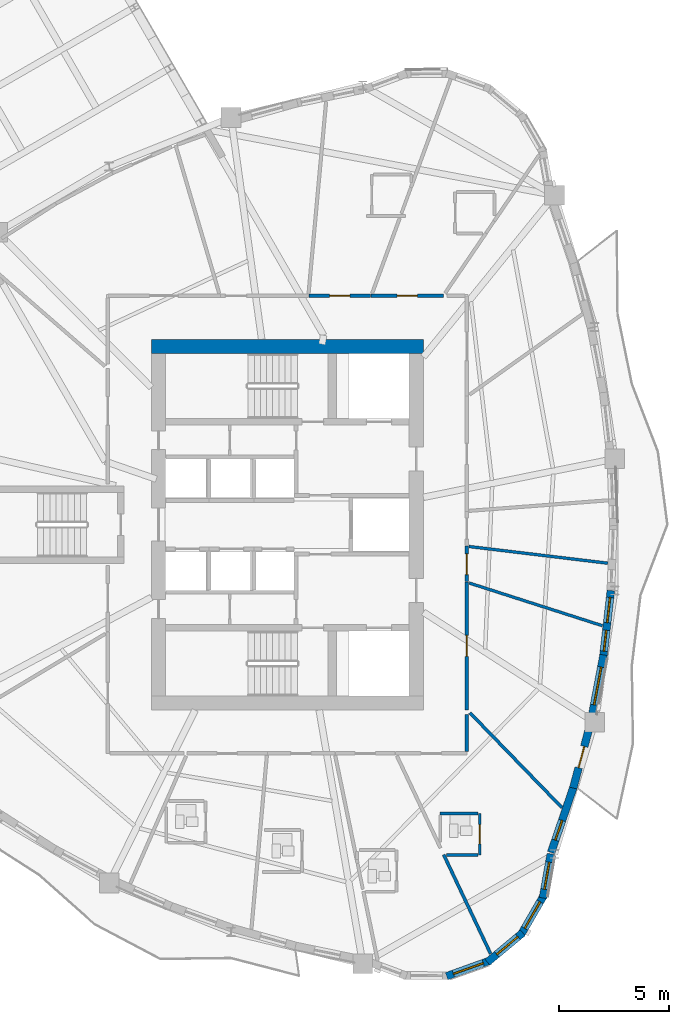
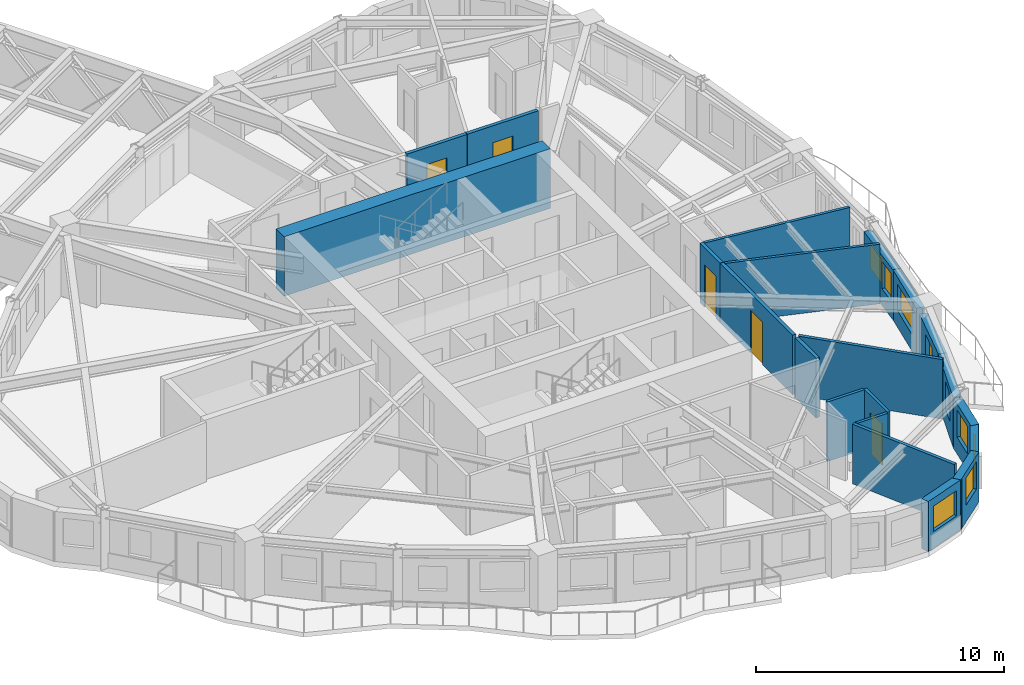
# One storey, part 8 of 14: 21 walls, 8 windows, 6 doors, 14 openings.
"""IFC4 building model written with IfcOpenShell, lengths in metres."""

from ifc_helpers import new_model, si_unit, direction, frame, frame_2d, origin, place, context, subcontext, project, spatial, rectangle, extrude, source, transform, mapped, material, layer, layer_set, type_object, element, fill, save


model = new_model("IFC4")

# Units and contexts
model_context = context("Model", 3, precision=1e-05, world=origin(), true_north=direction((0.0, 1.0)))
body_context = subcontext(model_context, "Body", "Model", "MODEL_VIEW")
ifc_project = project(units=[si_unit("LENGTHUNIT", "METRE"), si_unit("AREAUNIT", "SQUARE_METRE"), si_unit("VOLUMEUNIT", "CUBIC_METRE"), si_unit("PLANEANGLEUNIT", "RADIAN"), si_unit("MASSUNIT", "GRAM", prefix="KILO")], contexts=[model_context])

# Site, building, storey
site_placement = place(None, origin())
site = spatial("IfcSite", under=ifc_project, at=site_placement, CompositionType="ELEMENT")
building_placement = place(site_placement, origin())
building = spatial("IfcBuilding", under=site, at=building_placement, Name="Qafzar Sky-Pleat Residences", CompositionType="ELEMENT")
storey_placement = place(building_placement, frame((0.0, 0.0, 83.199951171875)))
storey = spatial("IfcBuildingStorey", under=building, at=storey_placement, Name="L24", CompositionType="ELEMENT", Elevation=83.199951171875)

# Wall, opening, door
ifc_material_1 = material(Name="Acoustic gypsum plasterboard partition", Category="gypsum")
ifc_layer_1 = layer(ifc_material_1, 0.159912109375)
ifc_layer_set_1 = layer_set([ifc_layer_1], Name="Acoustic gypsum plasterboard partition")
wall_type_1 = type_object("IfcWallType", Name="PART-COR-160", PredefinedType="PARTITIONING", material=ifc_layer_set_1)
wall_1_placement = place(storey_placement, frame((38.530029296875, 23.39208984375, 0.0), z_axis=(0.0, 0.0, 1.0), x_axis=(0.0, -1.0, 0.0)))
wall_1 = element("IfcWall", 1, at=wall_1_placement, inside=storey, type_object=wall_type_1, Name="L24 Partition Wall PART-L24-PW-002", PredefinedType="PARTITIONING", context=body_context, shape_type="SweptSolid", body=[
    extrude(rectangle(XDim=5.843017578125, YDim=0.159912109375, at=frame_2d((2.92138671875, 0.0))), origin(), (0.0, 0.0, 1.0), 2.93505859375),
])
opening_1_placement = place(wall_1_placement, frame((2.4384765625, 0.0, 0.0)))
opening_1 = element("IfcOpeningElement", 2, at=opening_1_placement, cuts=wall_1, Name="Opening ID-06", PredefinedType="OPENING", context=body_context, shape_type="SweptSolid", body=[
    extrude(rectangle(XDim=0.9599609375, YDim=2.10009765625, at=frame_2d((0.47998046875, 1.050048828125))), frame((0.0, 0.08984375, 0.0), z_axis=(0.0, -1.0, 0.0), x_axis=(1.0, 0.0, 0.0)), (0.0, 0.0, 1.0), 0.179931640625),
])
ifc_material_2 = material(Name="Timber-faced fire door", Category="wood")
door_type_1 = type_object("IfcDoorType", Name="DR-STD-960", OperationType="NOTDEFINED", PredefinedType="DOOR", material=ifc_material_2)
shared_shape_1 = source(origin(), body_context, "Body", "SweptSolid", [
    extrude(rectangle(XDim=0.9599609375, YDim=2.10009765625, at=frame_2d((0.47998046875, 1.050048828125))), frame((0.0, 0.02490234375, 0.0), z_axis=(0.0, -1.0, 0.0), x_axis=(1.0, 0.0, 0.0)), (0.0, 0.0, 1.0), 0.050048828125),
])
door_1_placement = place(opening_1_placement, origin())
door_1 = element("IfcDoor", 3, at=door_1_placement, inside=storey, type_object=door_type_1, Name="L24 Postdoctoral Admin Office Door", OperationType="SINGLE_SWING_RIGHT", OverallHeight=2.10009765625, OverallWidth=0.9599609375, PredefinedType="DOOR", context=body_context, shape_type="MappedRepresentation", body=[
    mapped(shared_shape_1, transform((0.0, 0.0, 0.0), x_axis=(1.0, 0.0, 0.0), y_axis=(0.0, 1.0, 0.0), z_axis=(0.0, 0.0, 1.0), scale=1.0)),
])
fill(opening_1, door_1)

wall_2_placement = place(storey_placement, frame((34.156005859375, 36.429931640625, 0.0), z_axis=(0.0, 0.0, 1.0), x_axis=(1.0, 0.0, 0.0)))
wall_2 = element("IfcWall", 4, at=wall_2_placement, inside=storey, type_object=wall_type_1, Name="L24 Partition Wall PART-L24-PW-010", PredefinedType="PARTITIONING", context=body_context, shape_type="SweptSolid", body=[
    extrude(rectangle(XDim=3.31591796875, YDim=0.159912109375, at=frame_2d((1.657958984375, 0.0))), origin(), (0.0, 0.0, 1.0), 2.93505859375),
])
opening_2_placement = place(wall_2_placement, frame((1.197021484375, 0.0, 0.0)))
opening_2 = element("IfcOpeningElement", 5, at=opening_2_placement, cuts=wall_2, Name="Opening ID-04", PredefinedType="OPENING", context=body_context, shape_type="SweptSolid", body=[
    extrude(rectangle(XDim=0.919921875, YDim=2.10009765625, at=frame_2d((0.4599609375, 1.050048828125))), frame((0.0, 0.08984375, 0.0), z_axis=(0.0, -1.0, 0.0), x_axis=(1.0, 0.0, 0.0)), (0.0, 0.0, 1.0), 0.179931640625),
])
door_type_2 = type_object("IfcDoorType", Name="DR-BED-920", OperationType="NOTDEFINED", PredefinedType="DOOR", material=ifc_material_2)
shared_shape_2 = source(origin(), body_context, "Body", "SweptSolid", [
    extrude(rectangle(XDim=0.919921875, YDim=2.10009765625, at=frame_2d((0.4599609375, 1.050048828125))), frame((0.0, 0.02490234375, 0.0), z_axis=(0.0, -1.0, 0.0), x_axis=(1.0, 0.0, 0.0)), (0.0, 0.0, 1.0), 0.050048828125),
])
door_2_placement = place(opening_2_placement, origin())
door_2 = element("IfcDoor", 6, at=door_2_placement, inside=storey, type_object=door_type_2, Name="L24 Co-Living Bedroom 5 Door", OperationType="SINGLE_SWING_LEFT", OverallHeight=2.10009765625, OverallWidth=0.919921875, PredefinedType="DOOR", context=body_context, shape_type="MappedRepresentation", body=[
    mapped(shared_shape_2, transform((0.0, 0.0, 0.0), x_axis=(1.0, 0.0, 0.0), y_axis=(0.0, 1.0, 0.0), z_axis=(0.0, 0.0, 1.0), scale=1.0)),
])
fill(opening_2, door_2)

wall_3_placement = place(storey_placement, frame((31.3349609375, 36.429931640625, 0.0), z_axis=(0.0, 0.0, 1.0), x_axis=(1.0, 0.0, 0.0)))
wall_3 = element("IfcWall", 7, at=wall_3_placement, inside=storey, type_object=wall_type_1, Name="L24 Partition Wall PART-L24-PW-015", PredefinedType="PARTITIONING", context=body_context, shape_type="SweptSolid", body=[
    extrude(rectangle(XDim=2.80615234375, YDim=0.159912109375, at=frame_2d((1.403076171875, 0.0))), origin(), (0.0, 0.0, 1.0), 2.93505859375),
])
opening_3_placement = place(wall_3_placement, frame((0.943603515625, 0.0, 0.0)))
opening_3 = element("IfcOpeningElement", 8, at=opening_3_placement, cuts=wall_3, Name="Opening ID-04", PredefinedType="OPENING", context=body_context, shape_type="SweptSolid", body=[
    extrude(rectangle(XDim=0.919921875, YDim=2.10009765625, at=frame_2d((0.4599609375, 1.050048828125))), frame((0.0, 0.08984375, 0.0), z_axis=(0.0, -1.0, 0.0), x_axis=(1.0, 0.0, 0.0)), (0.0, 0.0, 1.0), 0.179931640625),
])
door_3_placement = place(opening_3_placement, origin())
door_3 = element("IfcDoor", 9, at=door_3_placement, inside=storey, type_object=door_type_2, Name="L24 Co-Living Bedroom 6 Door", OperationType="SINGLE_SWING_LEFT", OverallHeight=2.10009765625, OverallWidth=0.919921875, PredefinedType="DOOR", context=body_context, shape_type="MappedRepresentation", body=[
    mapped(shared_shape_2, transform((0.0, 0.0, 0.0), x_axis=(1.0, 0.0, 0.0), y_axis=(0.0, 1.0, 0.0), z_axis=(0.0, 0.0, 1.0), scale=1.0)),
])
fill(opening_3, door_3)

wall_4_placement = place(storey_placement, frame((38.530029296875, 25.031982421875, 0.0), z_axis=(0.0, 0.0, 1.0), x_axis=(0.0, -1.0, 0.0)))
wall_4 = element("IfcWall", 10, at=wall_4_placement, inside=storey, type_object=wall_type_1, Name="L24 Partition Wall PART-L24-PW-023", PredefinedType="PARTITIONING", context=body_context, shape_type="SweptSolid", body=[
    extrude(rectangle(XDim=1.625, YDim=0.159912109375, at=frame_2d((0.8125, 0.0))), origin(), (0.0, 0.0, 1.0), 2.93505859375),
])
opening_4_placement = place(wall_4_placement, frame((0.360595703125, 0.0, 0.0)))
opening_4 = element("IfcOpeningElement", 11, at=opening_4_placement, cuts=wall_4, Name="Opening ID-08", PredefinedType="OPENING", context=body_context, shape_type="SweptSolid", body=[
    extrude(rectangle(XDim=0.949951171875, YDim=2.10009765625, at=frame_2d((0.47509765625, 1.050048828125))), frame((0.0, 0.08984375, 0.0), z_axis=(0.0, -1.0, 0.0), x_axis=(1.0, 0.0, 0.0)), (0.0, 0.0, 1.0), 0.179931640625),
])
door_type_3 = type_object("IfcDoorType", Name="DR-AWC-950", OperationType="NOTDEFINED", PredefinedType="DOOR", material=ifc_material_2)
shared_shape_3 = source(origin(), body_context, "Body", "SweptSolid", [
    extrude(rectangle(XDim=0.949951171875, YDim=2.10009765625, at=frame_2d((0.47509765625, 1.050048828125))), frame((0.0, 0.02490234375, 0.0), z_axis=(0.0, -1.0, 0.0), x_axis=(1.0, 0.0, 0.0)), (0.0, 0.0, 1.0), 0.050048828125),
])
door_4_placement = place(opening_4_placement, origin())
door_4 = element("IfcDoor", 12, at=door_4_placement, inside=storey, type_object=door_type_3, Name="L24 Accessible Shared Washroom Door", OperationType="SINGLE_SWING_LEFT", OverallHeight=2.10009765625, OverallWidth=0.949951171875, PredefinedType="DOOR", context=body_context, shape_type="MappedRepresentation", body=[
    mapped(shared_shape_3, transform((0.0, 0.0, 0.0), x_axis=(1.0, 0.0, 0.0), y_axis=(0.0, 1.0, 0.0), z_axis=(0.0, 0.0, 1.0), scale=1.0)),
])
fill(opening_4, door_4)

# Walls
wall_5_placement = place(storey_placement, frame((38.530029296875, 15.657958984375, 0.0), z_axis=(0.0, 0.0, 1.0), x_axis=(0.0, 1.0, 0.0)))
element("IfcWall", 13, at=wall_5_placement, inside=storey, type_object=wall_type_1, Name="L24 Partition Wall PART-L24-PW-049", PredefinedType="PARTITIONING", context=body_context, shape_type="SweptSolid", body=[
    extrude(rectangle(XDim=1.681640625, YDim=0.159912109375, at=frame_2d((0.8408203125, 0.0))), origin(), (0.0, 0.0, 1.0), 2.93505859375),
])
ifc_layer_2 = layer(ifc_material_1, 0.14501953125)
ifc_layer_set_2 = layer_set([ifc_layer_2], Name="Acoustic gypsum plasterboard partition")
wall_type_2 = type_object("IfcWallType", Name="PART-UNIT-145", PredefinedType="PARTITIONING", material=ifc_layer_set_2)
wall_6_placement = place(storey_placement, frame((38.66748046875, 17.42919921875, 0.0), z_axis=(0.0, 0.0, 1.0), x_axis=(0.696417222112, -0.717637131666, 0.0)))
element("IfcWall", 14, at=wall_6_placement, inside=storey, type_object=wall_type_2, Name="L24 Partition Wall PART-L24-PW-036", PredefinedType="PARTITIONING", context=body_context, shape_type="SweptSolid", body=[
    extrude(rectangle(XDim=6.040283203125, YDim=0.14501953125, at=frame_2d((3.02001953125, 0.0))), origin(), (0.0, 0.0, 1.0), 2.93505859375),
])
wall_7_placement = place(storey_placement, frame((37.47607421875, 10.9541015625, 0.0), z_axis=(0.0, 0.0, 1.0), x_axis=(0.428094746621, -0.903733859007, 0.0)))
element("IfcWall", 15, at=wall_7_placement, inside=storey, type_object=wall_type_2, Name="L24 Partition Wall PART-L24-PW-039", PredefinedType="PARTITIONING", context=body_context, shape_type="SweptSolid", body=[
    extrude(rectangle(XDim=4.996337890625, YDim=0.14501953125, at=frame_2d((2.498046875, 0.0))), origin(), (0.0, 0.0, 1.0), 2.93505859375),
])

# Wall, opening, door
ifc_material_3 = material(Name="Moisture-resistant gypsum partition", Category="gypsum")
ifc_layer_3 = layer(ifc_material_3, 0.1298828125)
ifc_layer_set_3 = layer_set([ifc_layer_3], Name="Moisture-resistant gypsum partition")
wall_type_3 = type_object("IfcWallType", Name="PART-WET-130", PredefinedType="PARTITIONING", material=ifc_layer_set_3)
wall_8_placement = place(storey_placement, frame((39.116943359375, 10.93896484375, 0.0), z_axis=(0.0, 0.0, 1.0), x_axis=(0.0, 1.0, 0.0)))
wall_8 = element("IfcWall", 16, at=wall_8_placement, inside=storey, type_object=wall_type_3, Name="L24 Partition Wall PART-L24-PW-020", PredefinedType="PARTITIONING", context=body_context, shape_type="SweptSolid", body=[
    extrude(rectangle(XDim=1.900146484375, YDim=0.1298828125, at=frame_2d((0.9501953125, 0.0))), origin(), (0.0, 0.0, 1.0), 2.93505859375),
])
opening_5_placement = place(wall_8_placement, frame((0.510009765625, 0.0, 0.0)))
opening_5 = element("IfcOpeningElement", 17, at=opening_5_placement, cuts=wall_8, Name="Opening ID-07", PredefinedType="OPENING", context=body_context, shape_type="SweptSolid", body=[
    extrude(rectangle(XDim=0.8798828125, YDim=2.050048828125, at=frame_2d((0.43994140625, 1.02490234375))), frame((0.0, 0.074951171875, 0.0), z_axis=(0.0, -1.0, 0.0), x_axis=(1.0, 0.0, 0.0)), (0.0, 0.0, 1.0), 0.14990234375),
])
door_type_4 = type_object("IfcDoorType", Name="DR-WET-880", OperationType="NOTDEFINED", PredefinedType="DOOR", material=ifc_material_2)
shared_shape_4 = source(origin(), body_context, "Body", "SweptSolid", [
    extrude(rectangle(XDim=0.8798828125, YDim=2.050048828125, at=frame_2d((0.43994140625, 1.02490234375))), frame((0.0, 0.02490234375, 0.0), z_axis=(0.0, -1.0, 0.0), x_axis=(1.0, 0.0, 0.0)), (0.0, 0.0, 1.0), 0.050048828125),
])
door_5_placement = place(opening_5_placement, origin())
door_5 = element("IfcDoor", 18, at=door_5_placement, inside=storey, type_object=door_type_4, Name="L24 En-suite Bathroom 4 Door", OperationType="SINGLE_SWING_RIGHT", OverallHeight=2.050048828125, OverallWidth=0.8798828125, PredefinedType="DOOR", context=body_context, shape_type="MappedRepresentation", body=[
    mapped(shared_shape_4, transform((0.0, 0.0, 0.0), x_axis=(1.0, 0.0, 0.0), y_axis=(0.0, 1.0, 0.0), z_axis=(0.0, 0.0, 1.0), scale=1.0)),
])
fill(opening_5, door_5)

# Walls
wall_9_placement = place(storey_placement, frame((38.637451171875, 23.341552734375, 0.0), z_axis=(0.0, 0.0, 1.0), x_axis=(0.952253923936, -0.305307163933, 0.0)))
element("IfcWall", 19, at=wall_9_placement, inside=storey, type_object=wall_type_3, Name="L24 Partition Wall PART-L24-PW-031", PredefinedType="PARTITIONING", context=body_context, shape_type="SweptSolid", body=[
    extrude(rectangle(XDim=6.383544921875, YDim=0.1298828125, at=frame_2d((3.19189453125, 0.0))), origin(), (0.0, 0.0, 1.0), 2.93505859375),
])
wall_10_placement = place(storey_placement, frame((38.625732421875, 25.005615234375, 0.0), z_axis=(0.0, 0.0, 1.0), x_axis=(0.992837647249, -0.11947136144, 0.0)))
element("IfcWall", 20, at=wall_10_placement, inside=storey, type_object=wall_type_3, Name="L24 Partition Wall PART-L24-PW-034", PredefinedType="PARTITIONING", context=body_context, shape_type="SweptSolid", body=[
    extrude(rectangle(XDim=6.375732421875, YDim=0.1298828125, at=frame_2d((3.18798828125, 0.0))), origin(), (0.0, 0.0, 1.0), 2.93505859375),
])
wall_11_placement = place(storey_placement, frame((37.31689453125, 12.839111328125, 0.0), z_axis=(0.0, 0.0, 1.0), x_axis=(1.0, 0.0, 0.0)))
element("IfcWall", 21, at=wall_11_placement, inside=storey, type_object=wall_type_3, Name="L24 Partition Wall PART-L24-PW-055", PredefinedType="PARTITIONING", context=body_context, shape_type="SweptSolid", body=[
    extrude(rectangle(XDim=1.72705078125, YDim=0.1298828125, at=frame_2d((0.863525390625, 0.0))), origin(), (0.0, 0.0, 1.0), 2.93505859375),
])
wall_12_placement = place(storey_placement, frame((37.60205078125, 10.93896484375, 0.0), z_axis=(0.0, 0.0, 1.0), x_axis=(1.0, 0.0, 0.0)))
element("IfcWall", 22, at=wall_12_placement, inside=storey, type_object=wall_type_3, Name="L24 Partition Wall PART-L24-PW-059", PredefinedType="PARTITIONING", context=body_context, shape_type="SweptSolid", body=[
    extrude(rectangle(XDim=1.44189453125, YDim=0.1298828125, at=frame_2d((0.720947265625, 0.0))), origin(), (0.0, 0.0, 1.0), 2.93505859375),
])

# Wall, opening, window
ifc_material_4 = material(Name="Precast concrete C40/50 with honed Riyadh limestone", Category="concrete")
ifc_layer_4 = layer(ifc_material_4, 0.35009765625)
ifc_layer_set_4 = layer_set([ifc_layer_4], Name="Precast concrete C40/50 with honed Riyadh limestone")
wall_type_4 = type_object("IfcWallType", Name="WALL-EXT-350", PredefinedType="SOLIDWALL", material=ifc_layer_set_4)
wall_13_placement = place(storey_placement, frame((37.6103515625, 5.4150390625, 0.0), z_axis=(0.0, 0.0, 1.0), x_axis=(0.941473186867, 0.33708787936, 0.0)))
wall_13 = element("IfcWall", 23, at=wall_13_placement, inside=storey, type_object=wall_type_4, Name="L24 Limestone Facade Wall 19", PredefinedType="SOLIDWALL", context=body_context, shape_type="SweptSolid", body=[
    extrude(rectangle(XDim=2.098876953125, YDim=0.35009765625, at=frame_2d((1.04931640625, 0.0))), origin(), (0.0, 0.0, 1.0), 2.465087890625),
])
opening_6_placement = place(wall_13_placement, frame((0.324462890625, 0.0, 0.820068359375)))
opening_6 = element("IfcOpeningElement", 24, at=opening_6_placement, cuts=wall_13, Name="Opening WN-15", PredefinedType="OPENING", context=body_context, shape_type="SweptSolid", body=[
    extrude(rectangle(XDim=1.449951171875, YDim=1.25, at=frame_2d((0.72509765625, 0.625))), frame((0.0, 0.18505859375, 0.0), z_axis=(0.0, -1.0, 0.0), x_axis=(1.0, 0.0, 0.0)), (0.0, 0.0, 1.0), 0.3701171875),
])
ifc_material_5 = material(Name="Solar-control low-E glass in bronze aluminium frame", Category="glass")
window_type_1 = type_object("IfcWindowType", Name="WIN-15", PartitioningType="SINGLE_PANEL", PredefinedType="WINDOW", material=ifc_material_5)
shared_shape_5 = source(origin(), body_context, "Body", "SweptSolid", [
    extrude(rectangle(XDim=1.449951171875, YDim=1.25, at=frame_2d((0.72509765625, 0.625))), frame((0.0, 0.030029296875, 0.0), z_axis=(0.0, -1.0, 0.0), x_axis=(1.0, 0.0, 0.0)), (0.0, 0.0, 1.0), 0.06005859375),
])
window_1_placement = place(opening_6_placement, origin())
window_1 = element("IfcWindow", 25, at=window_1_placement, inside=storey, type_object=window_type_1, Name="L24 Punched Facade Window 19", OverallHeight=1.25, OverallWidth=1.449951171875, PartitioningType="SINGLE_PANEL", PredefinedType="WINDOW", context=body_context, shape_type="MappedRepresentation", body=[
    mapped(shared_shape_5, transform((0.0, 0.0, 0.0), x_axis=(1.0, 0.0, 0.0), y_axis=(0.0, 1.0, 0.0), z_axis=(0.0, 0.0, 1.0), scale=1.0)),
])
fill(opening_6, window_1)

wall_14_placement = place(storey_placement, frame((39.468505859375, 6.05517578125, 0.0), z_axis=(0.0, 0.0, 1.0), x_axis=(0.768497696041, 0.639852554249, 0.0)))
wall_14 = element("IfcWall", 26, at=wall_14_placement, inside=storey, type_object=wall_type_4, Name="L24 Limestone Facade Wall 20", PredefinedType="SOLIDWALL", context=body_context, shape_type="SweptSolid", body=[
    extrude(rectangle(XDim=2.098876953125, YDim=0.35009765625, at=frame_2d((1.04931640625, 0.0))), origin(), (0.0, 0.0, 1.0), 2.465087890625),
])
opening_7_placement = place(wall_14_placement, frame((0.558837890625, 0.0, 0.820068359375)))
opening_7 = element("IfcOpeningElement", 27, at=opening_7_placement, cuts=wall_14, Name="Opening WN-11", PredefinedType="OPENING", context=body_context, shape_type="SweptSolid", body=[
    extrude(rectangle(XDim=1.25, YDim=1.35009765625, at=frame_2d((0.625, 0.675048828125))), frame((0.0, 0.18505859375, 0.0), z_axis=(0.0, -1.0, 0.0), x_axis=(1.0, 0.0, 0.0)), (0.0, 0.0, 1.0), 0.3701171875),
])
window_type_2 = type_object("IfcWindowType", Name="WIN-11", PartitioningType="SINGLE_PANEL", PredefinedType="WINDOW", material=ifc_material_5)
shared_shape_6 = source(origin(), body_context, "Body", "SweptSolid", [
    extrude(rectangle(XDim=1.25, YDim=1.35009765625, at=frame_2d((0.625, 0.675048828125))), frame((0.0, 0.030029296875, 0.0), z_axis=(0.0, -1.0, 0.0), x_axis=(1.0, 0.0, 0.0)), (0.0, 0.0, 1.0), 0.06005859375),
])
window_2_placement = place(opening_7_placement, origin())
window_2 = element("IfcWindow", 28, at=window_2_placement, inside=storey, type_object=window_type_2, Name="L24 Punched Facade Window 20", OverallHeight=1.35009765625, OverallWidth=1.25, PartitioningType="SINGLE_PANEL", PredefinedType="WINDOW", context=body_context, shape_type="MappedRepresentation", body=[
    mapped(shared_shape_6, transform((0.0, 0.0, 0.0), x_axis=(1.0, 0.0, 0.0), y_axis=(0.0, 1.0, 0.0), z_axis=(0.0, 0.0, 1.0), scale=1.0)),
])
fill(opening_7, window_2)

wall_15_placement = place(storey_placement, frame((40.993896484375, 7.29443359375, 0.0), z_axis=(0.0, 0.0, 1.0), x_axis=(0.501902596059, 0.864924149315, 0.0)))
wall_15 = element("IfcWall", 29, at=wall_15_placement, inside=storey, type_object=wall_type_4, Name="L24 Limestone Facade Wall 21", PredefinedType="SOLIDWALL", context=body_context, shape_type="SweptSolid", body=[
    extrude(rectangle(XDim=2.098876953125, YDim=0.35009765625, at=frame_2d((1.04931640625, 0.0))), origin(), (0.0, 0.0, 1.0), 2.465087890625),
])
opening_8_placement = place(wall_15_placement, frame((0.349609375, 0.0, 0.820068359375)))
opening_8 = element("IfcOpeningElement", 30, at=opening_8_placement, cuts=wall_15, Name="Opening WN-10", PredefinedType="OPENING", context=body_context, shape_type="SweptSolid", body=[
    extrude(rectangle(XDim=1.39990234375, YDim=1.35009765625, at=frame_2d((0.699951171875, 0.675048828125))), frame((0.0, 0.18505859375, 0.0), z_axis=(0.0, -1.0, 0.0), x_axis=(1.0, 0.0, 0.0)), (0.0, 0.0, 1.0), 0.3701171875),
])
window_type_3 = type_object("IfcWindowType", Name="WIN-10", PartitioningType="SINGLE_PANEL", PredefinedType="WINDOW", material=ifc_material_5)
shared_shape_7 = source(origin(), body_context, "Body", "SweptSolid", [
    extrude(rectangle(XDim=1.39990234375, YDim=1.35009765625, at=frame_2d((0.699951171875, 0.675048828125))), frame((0.0, 0.030029296875, 0.0), z_axis=(0.0, -1.0, 0.0), x_axis=(1.0, 0.0, 0.0)), (0.0, 0.0, 1.0), 0.06005859375),
])
window_3_placement = place(opening_8_placement, origin())
window_3 = element("IfcWindow", 31, at=window_3_placement, inside=storey, type_object=window_type_3, Name="L24 Punched Facade Window 21", OverallHeight=1.35009765625, OverallWidth=1.39990234375, PartitioningType="SINGLE_PANEL", PredefinedType="WINDOW", context=body_context, shape_type="MappedRepresentation", body=[
    mapped(shared_shape_7, transform((0.0, 0.0, 0.0), x_axis=(1.0, 0.0, 0.0), y_axis=(0.0, 1.0, 0.0), z_axis=(0.0, 0.0, 1.0), scale=1.0)),
])
fill(opening_8, window_3)

wall_16_placement = place(storey_placement, frame((42.000732421875, 8.982177734375, 0.0), z_axis=(0.0, 0.0, 1.0), x_axis=(0.174419977077, 0.984671352075, 0.0)))
wall_16 = element("IfcWall", 32, at=wall_16_placement, inside=storey, type_object=wall_type_4, Name="L24 Limestone Facade Wall 22", PredefinedType="SOLIDWALL", context=body_context, shape_type="SweptSolid", body=[
    extrude(rectangle(XDim=2.040771484375, YDim=0.35009765625, at=frame_2d((1.0205078125, 0.0))), origin(), (0.0, 0.0, 1.0), 2.465087890625),
])
opening_9_placement = place(wall_16_placement, frame((0.405517578125, 0.0, 0.820068359375)))
opening_9 = element("IfcOpeningElement", 33, at=opening_9_placement, cuts=wall_16, Name="Opening WN-11", PredefinedType="OPENING", context=body_context, shape_type="SweptSolid", body=[
    extrude(rectangle(XDim=1.25, YDim=1.35009765625, at=frame_2d((0.625, 0.675048828125))), frame((0.0, 0.18505859375, 0.0), z_axis=(0.0, -1.0, 0.0), x_axis=(1.0, 0.0, 0.0)), (0.0, 0.0, 1.0), 0.3701171875),
])
window_4_placement = place(opening_9_placement, origin())
window_4 = element("IfcWindow", 34, at=window_4_placement, inside=storey, type_object=window_type_2, Name="L24 Punched Facade Window 22", OverallHeight=1.35009765625, OverallWidth=1.25, PartitioningType="SINGLE_PANEL", PredefinedType="WINDOW", context=body_context, shape_type="MappedRepresentation", body=[
    mapped(shared_shape_6, transform((0.0, 0.0, 0.0), x_axis=(1.0, 0.0, 0.0), y_axis=(0.0, 1.0, 0.0), z_axis=(0.0, 0.0, 1.0), scale=1.0)),
])
fill(opening_9, window_4)

wall_17_placement = place(storey_placement, frame((42.373291015625, 11.056640625, 0.0), z_axis=(0.0, 0.0, 1.0), x_axis=(0.323628226775, 0.946184321808, 0.0)))
wall_17 = element("IfcWall", 35, at=wall_17_placement, inside=storey, type_object=wall_type_4, Name="L24 Limestone Facade Wall 23", PredefinedType="SOLIDWALL", context=body_context, shape_type="SweptSolid", body=[
    extrude(rectangle(XDim=3.192626953125, YDim=0.35009765625, at=frame_2d((1.59619140625, 0.0))), origin(), (0.0, 0.0, 1.0), 2.465087890625),
])
opening_10_placement = place(wall_17_placement, frame((0.5947265625, 0.0, 0.820068359375)))
opening_10 = element("IfcOpeningElement", 36, at=opening_10_placement, cuts=wall_17, Name="Opening WN-12", PredefinedType="OPENING", context=body_context, shape_type="SweptSolid", body=[
    extrude(rectangle(XDim=0.949951171875, YDim=1.35009765625, at=frame_2d((0.47509765625, 0.675048828125))), frame((0.0, 0.18505859375, 0.0), z_axis=(0.0, -1.0, 0.0), x_axis=(1.0, 0.0, 0.0)), (0.0, 0.0, 1.0), 0.3701171875),
])
window_type_4 = type_object("IfcWindowType", Name="WIN-12", PartitioningType="SINGLE_PANEL", PredefinedType="WINDOW", material=ifc_material_5)
shared_shape_8 = source(origin(), body_context, "Body", "SweptSolid", [
    extrude(rectangle(XDim=0.949951171875, YDim=1.35009765625, at=frame_2d((0.47509765625, 0.675048828125))), frame((0.0, 0.030029296875, 0.0), z_axis=(0.0, -1.0, 0.0), x_axis=(1.0, 0.0, 0.0)), (0.0, 0.0, 1.0), 0.06005859375),
])
window_5_placement = place(opening_10_placement, origin())
window_5 = element("IfcWindow", 37, at=window_5_placement, inside=storey, type_object=window_type_4, Name="L24 Punched Facade Window 23", OverallHeight=1.35009765625, OverallWidth=0.949951171875, PartitioningType="SINGLE_PANEL", PredefinedType="WINDOW", context=body_context, shape_type="MappedRepresentation", body=[
    mapped(shared_shape_8, transform((0.0, 0.0, 0.0), x_axis=(1.0, 0.0, 0.0), y_axis=(0.0, 1.0, 0.0), z_axis=(0.0, 0.0, 1.0), scale=1.0)),
])
fill(opening_10, window_5)

# Wall, opening, door
wall_18_placement = place(storey_placement, frame((43.380859375, 13.9931640625, 0.0), z_axis=(0.0, 0.0, 1.0), x_axis=(0.257079998736, 0.966390125286, 0.0)))
wall_18 = element("IfcWall", 38, at=wall_18_placement, inside=storey, type_object=wall_type_4, Name="L24 Limestone Facade Wall 24", PredefinedType="SOLIDWALL", context=body_context, shape_type="SweptSolid", body=[
    extrude(rectangle(XDim=2.921142578125, YDim=0.35009765625, at=frame_2d((1.46044921875, 0.0))), origin(), (0.0, 0.0, 1.0), 2.465087890625),
])
opening_11_placement = place(wall_18_placement, frame((0.960693359375, 0.0, 0.0)))
opening_11 = element("IfcOpeningElement", 39, at=opening_11_placement, cuts=wall_18, Name="Opening ED-05", PredefinedType="OPENING", context=body_context, shape_type="SweptSolid", body=[
    extrude(rectangle(XDim=1.0, YDim=2.10009765625, at=frame_2d((0.5, 1.050048828125))), frame((0.0, 0.18505859375, 0.0), z_axis=(0.0, -1.0, 0.0), x_axis=(1.0, 0.0, 0.0)), (0.0, 0.0, 1.0), 0.3701171875),
])
ifc_material_6 = material(Name="Glazed bronze aluminium door", Category="aluminium")
door_type_5 = type_object("IfcDoorType", Name="DR-BAL-1000", OperationType="NOTDEFINED", PredefinedType="DOOR", material=ifc_material_6)
shared_shape_9 = source(origin(), body_context, "Body", "SweptSolid", [
    extrude(rectangle(XDim=1.0, YDim=2.10009765625, at=frame_2d((0.5, 1.050048828125))), frame((0.0, 0.02490234375, 0.0), z_axis=(0.0, -1.0, 0.0), x_axis=(1.0, 0.0, 0.0)), (0.0, 0.0, 1.0), 0.050048828125),
])
door_6_placement = place(opening_11_placement, origin())
door_6 = element("IfcDoor", 40, at=door_6_placement, inside=storey, type_object=door_type_5, Name="L24 Glazed Balcony Door 1", OperationType="SINGLE_SWING_LEFT", OverallHeight=2.10009765625, OverallWidth=1.0, PredefinedType="DOOR", context=body_context, shape_type="MappedRepresentation", body=[
    mapped(shared_shape_9, transform((0.0, 0.0, 0.0), x_axis=(1.0, 0.0, 0.0), y_axis=(0.0, 1.0, 0.0), z_axis=(0.0, 0.0, 1.0), scale=1.0)),
])
fill(opening_11, door_6)

# Wall, opening, window
wall_19_placement = place(storey_placement, frame((44.22900390625, 17.2421875, 0.0), z_axis=(0.0, 0.0, 1.0), x_axis=(0.186588413417, 0.982438173107, 0.0)))
wall_19 = element("IfcWall", 41, at=wall_19_placement, inside=storey, type_object=wall_type_4, Name="L24 Limestone Facade Wall 25", PredefinedType="SOLIDWALL", context=body_context, shape_type="SweptSolid", body=[
    extrude(rectangle(XDim=2.870849609375, YDim=0.35009765625, at=frame_2d((1.435546875, 0.0))), origin(), (0.0, 0.0, 1.0), 2.465087890625),
])
opening_12_placement = place(wall_19_placement, frame((0.555419921875, 0.0, 0.820068359375)))
opening_12 = element("IfcOpeningElement", 42, at=opening_12_placement, cuts=wall_19, Name="Opening WN-14", PredefinedType="OPENING", context=body_context, shape_type="SweptSolid", body=[
    extrude(rectangle(XDim=1.75, YDim=1.300048828125, at=frame_2d((0.875, 0.64990234375))), frame((0.0, 0.18505859375, 0.0), z_axis=(0.0, -1.0, 0.0), x_axis=(1.0, 0.0, 0.0)), (0.0, 0.0, 1.0), 0.3701171875),
])
window_type_5 = type_object("IfcWindowType", Name="WIN-14", PartitioningType="DOUBLE_PANEL_VERTICAL", PredefinedType="WINDOW", material=ifc_material_5)
shared_shape_10 = source(origin(), body_context, "Body", "SweptSolid", [
    extrude(rectangle(XDim=1.75, YDim=1.300048828125, at=frame_2d((0.875, 0.64990234375))), frame((0.0, 0.030029296875, 0.0), z_axis=(0.0, -1.0, 0.0), x_axis=(1.0, 0.0, 0.0)), (0.0, 0.0, 1.0), 0.06005859375),
])
window_6_placement = place(opening_12_placement, origin())
window_6 = element("IfcWindow", 43, at=window_6_placement, inside=storey, type_object=window_type_5, Name="L24 Punched Facade Window 25", OverallHeight=1.300048828125, OverallWidth=1.75, PartitioningType="SINGLE_PANEL", PredefinedType="WINDOW", context=body_context, shape_type="MappedRepresentation", body=[
    mapped(shared_shape_10, transform((0.0, 0.0, 0.0), x_axis=(1.0, 0.0, 0.0), y_axis=(0.0, 1.0, 0.0), z_axis=(0.0, 0.0, 1.0), scale=1.0)),
])
fill(opening_12, window_6)

# Wall, openings, windows
wall_20_placement = place(storey_placement, frame((44.751220703125, 19.974609375, 0.0), z_axis=(0.0, 0.0, 1.0), x_axis=(0.113356399423, 0.993554390413, 0.0)))
wall_20 = element("IfcWall", 44, at=wall_20_placement, inside=storey, type_object=wall_type_4, Name="L24 Limestone Facade Wall 26", PredefinedType="SOLIDWALL", context=body_context, shape_type="SweptSolid", body=[
    extrude(rectangle(XDim=3.041015625, YDim=0.35009765625, at=frame_2d((1.5205078125, 0.0))), origin(), (0.0, 0.0, 1.0), 2.465087890625),
])
opening_13_placement = place(wall_20_placement, frame((0.264404296875, 0.0, 0.820068359375)))
opening_13 = element("IfcOpeningElement", 45, at=opening_13_placement, cuts=wall_20, Name="Opening WN-12", PredefinedType="OPENING", context=body_context, shape_type="SweptSolid", body=[
    extrude(rectangle(XDim=0.949951171875, YDim=1.35009765625, at=frame_2d((0.47509765625, 0.675048828125))), frame((0.0, 0.18505859375, 0.0), z_axis=(0.0, -1.0, 0.0), x_axis=(1.0, 0.0, 0.0)), (0.0, 0.0, 1.0), 0.3701171875),
])
opening_14_placement = place(wall_20_placement, frame((1.574951171875, 0.0, 0.820068359375)))
opening_14 = element("IfcOpeningElement", 46, at=opening_14_placement, cuts=wall_20, Name="Opening WN-16", PredefinedType="OPENING", context=body_context, shape_type="SweptSolid", body=[
    extrude(rectangle(XDim=1.14990234375, YDim=1.199951171875, at=frame_2d((0.574951171875, 0.60009765625))), frame((0.0, 0.18505859375, 0.0), z_axis=(0.0, -1.0, 0.0), x_axis=(1.0, 0.0, 0.0)), (0.0, 0.0, 1.0), 0.3701171875),
])
window_7_placement = place(opening_13_placement, origin())
window_7 = element("IfcWindow", 47, at=window_7_placement, inside=storey, type_object=window_type_4, Name="L24 Punched Facade Window 26", OverallHeight=1.35009765625, OverallWidth=0.949951171875, PartitioningType="SINGLE_PANEL", PredefinedType="WINDOW", context=body_context, shape_type="MappedRepresentation", body=[
    mapped(shared_shape_8, transform((0.0, 0.0, 0.0), x_axis=(1.0, 0.0, 0.0), y_axis=(0.0, 1.0, 0.0), z_axis=(0.0, 0.0, 1.0), scale=1.0)),
])
fill(opening_13, window_7)
window_type_6 = type_object("IfcWindowType", Name="WIN-16", PartitioningType="SINGLE_PANEL", PredefinedType="WINDOW", material=ifc_material_5)
shared_shape_11 = source(origin(), body_context, "Body", "SweptSolid", [
    extrude(rectangle(XDim=1.14990234375, YDim=1.199951171875, at=frame_2d((0.574951171875, 0.60009765625))), frame((0.0, 0.030029296875, 0.0), z_axis=(0.0, -1.0, 0.0), x_axis=(1.0, 0.0, 0.0)), (0.0, 0.0, 1.0), 0.06005859375),
])
window_8_placement = place(opening_14_placement, origin())
window_8 = element("IfcWindow", 48, at=window_8_placement, inside=storey, type_object=window_type_6, Name="L24 Punched Facade Window 26-2", OverallHeight=1.199951171875, OverallWidth=1.14990234375, PartitioningType="SINGLE_PANEL", PredefinedType="WINDOW", context=body_context, shape_type="MappedRepresentation", body=[
    mapped(shared_shape_11, transform((0.0, 0.0, 0.0), x_axis=(1.0, 0.0, 0.0), y_axis=(0.0, 1.0, 0.0), z_axis=(0.0, 0.0, 1.0), scale=1.0)),
])
fill(opening_14, window_8)

# Wall
ifc_material_7 = material(Name="Concrete C60/75", Category="concrete")
ifc_layer_5 = layer(ifc_material_7, 0.64990234375)
ifc_layer_set_5 = layer_set([ifc_layer_5], Name="Concrete C60/75")
wall_type_5 = type_object("IfcWallType", Name="WALL-SHEAR-650", PredefinedType="SHEAR", material=ifc_layer_set_5)
wall_21_placement = place(storey_placement, frame((36.550048828125, 34.125, 0.0), z_axis=(0.0, 0.0, 1.0), x_axis=(-1.0, 0.0, 0.0)))
element("IfcWall", 49, at=wall_21_placement, inside=storey, type_object=wall_type_5, Name="L24 CORE wall N", PredefinedType="SHEAR", context=body_context, shape_type="SweptSolid", body=[
    extrude(rectangle(XDim=12.400146484375, YDim=0.64990234375, at=frame_2d((6.2001953125, 0.0))), origin(), (0.0, 0.0, 1.0), 2.93505859375),
])

save(model, "model.ifc")
